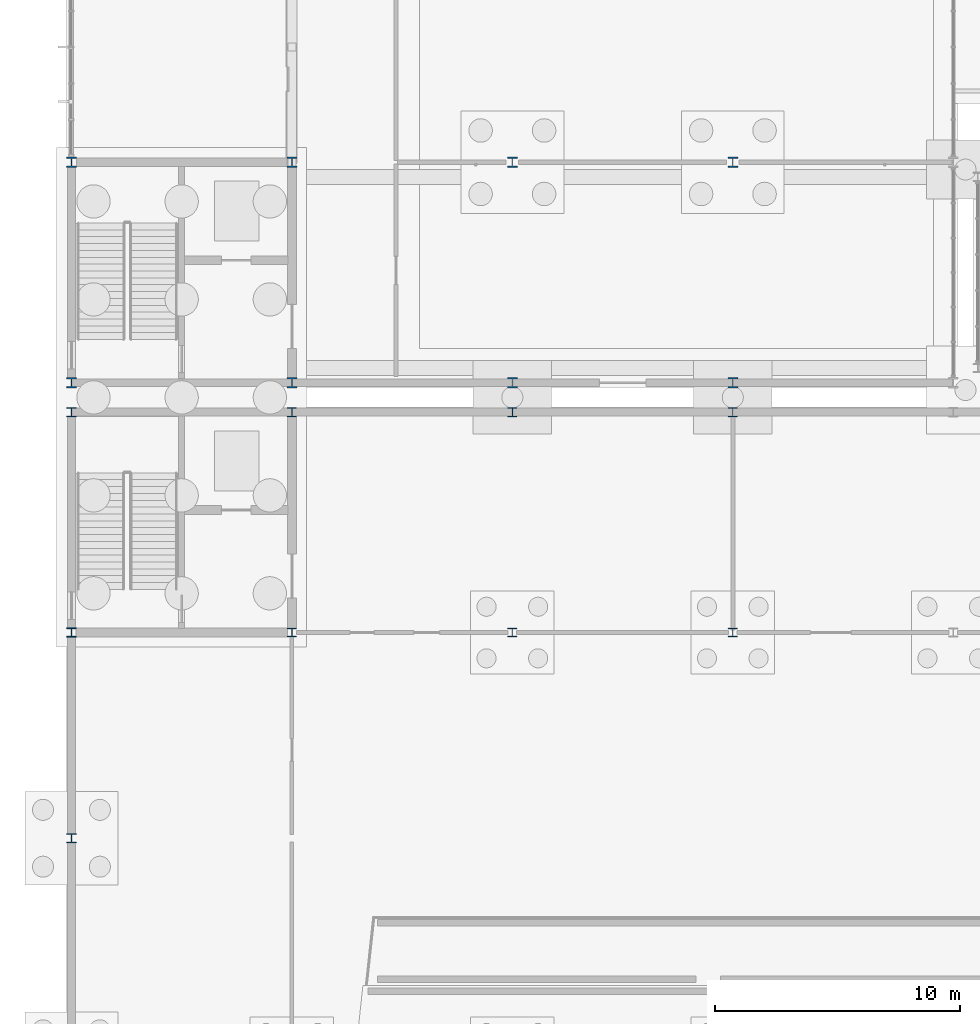
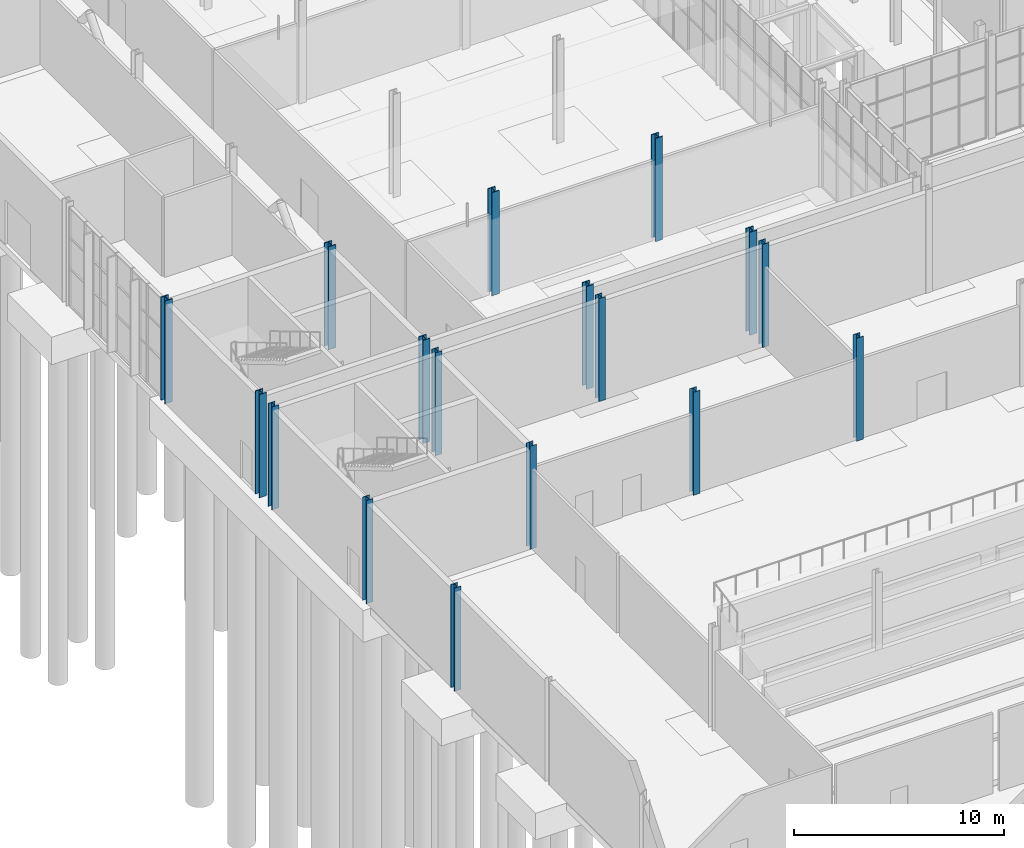
# One storey, part 11 of 131: 17 columns.
"""IFC4 building model written with IfcOpenShell, lengths in metres."""

from ifc_helpers import new_model, si_unit, direction, frame, origin, origin_2d, place, context, subcontext, project, spatial, i_section, extrude, material, material_profile, profile_set, type_object, element, save


model = new_model("IFC4")

# Units and contexts
model_context = context("Model", 3, precision=1e-05, world=origin(), true_north=direction((0.0, 1.0)))
body_context = subcontext(model_context, "Body", "Model", "MODEL_VIEW")
ifc_project = project(units=[si_unit("LENGTHUNIT", "METRE"), si_unit("AREAUNIT", "SQUARE_METRE"), si_unit("VOLUMEUNIT", "CUBIC_METRE"), si_unit("PLANEANGLEUNIT", "RADIAN"), si_unit("MASSUNIT", "GRAM", prefix="KILO")], contexts=[model_context])

# Site, building, storey
site_placement = place(None, origin())
site = spatial("IfcSite", under=ifc_project, at=site_placement, CompositionType="ELEMENT")
building_placement = place(site_placement, origin())
building = spatial("IfcBuilding", under=site, at=building_placement, Name="Cazmaro Siding Exhibition Halls", CompositionType="ELEMENT")
storey_placement = place(building_placement, origin())
storey = spatial("IfcBuildingStorey", under=building, at=storey_placement, Name="L00", CompositionType="ELEMENT", Elevation=0.0)

# Columns
ifc_material_1 = material(Name="Steel ASTM A992 Grade 50", Category="steel")
ifc_material_profile_1 = material_profile(ifc_material_1, i_section(OverallWidth=0.406005859375, OverallDepth=0.416015625, WebThickness=0.030029296875, FlangeThickness=0.048095703125, at=origin_2d()), Name="W14X257")
ifc_profile_set_1 = profile_set([ifc_material_profile_1], Name="Steel ASTM A992 Grade 50")
column_type_1 = type_object("IfcColumnType", Name="C-01", PredefinedType="COLUMN", material=ifc_profile_set_1)
for number, where, z_axis, x_axis, name in (
    (1, (0.0, 54.60009765625, 0.0), (0.0, 0.0, 1.0), (1.0, 0.0, 0.0), "Column C-01 COL-0881"),
    (2, (0.0, 63.60009765625, 0.0), (0.0, 0.0, 1.0), (1.0, 0.0, 0.0), "Column C-01 COL-0886"),
    (3, (9.0, 54.60009765625, 0.0), (0.0, 0.0, 1.0), (1.0, 0.0, 0.0), "Column C-01 COL-0921"),
    (4, (9.0, 63.60009765625, 0.0), (0.0, 0.0, 1.0), (1.0, 0.0, 0.0), "Column C-01 COL-0926"),
    (5, (18.0, 54.60009765625, 0.0), (0.0, 0.0, 1.0), (1.0, 0.0, 0.0), "Column C-01 COL-0961"),
    (6, (18.0, 63.60009765625, 0.0), (0.0, 0.0, 1.0), (1.0, 0.0, 0.0), "Column C-01 COL-0966"),
    (7, (27.0, 54.60009765625, 0.0), (0.0, 0.0, 1.0), (1.0, 0.0, 0.0), "Column C-01 COL-1001"),
    (8, (27.0, 63.60009765625, 0.0), (0.0, 0.0, 1.0), (1.0, 0.0, 0.0), "Column C-01 COL-1006"),
):
    element("IfcColumn", number, at=place(storey_placement, frame(where, z_axis=z_axis, x_axis=x_axis)), inside=storey, type_object=column_type_1, Name=name, PredefinedType="COLUMN", context=body_context, shape_type="SweptSolid", body=[
        extrude(i_section(OverallWidth=0.406005859375, OverallDepth=0.416015625, WebThickness=0.030029296875, FlangeThickness=0.048095703125, at=origin_2d()), origin(), (0.0, 0.0, 1.0), 6.0),
    ])
ifc_material_2 = material(Name="Steel ASTM A992 Grade 50", Category="steel")
ifc_material_profile_2 = material_profile(ifc_material_2, i_section(OverallWidth=0.373046875, OverallDepth=0.373046875, WebThickness=0.01611328125, FlangeThickness=0.02587890625, at=origin_2d()), Name="W14X132")
ifc_profile_set_2 = profile_set([ifc_material_profile_2], Name="Steel ASTM A992 Grade 50")
column_type_2 = type_object("IfcColumnType", Name="C-04", PredefinedType="COLUMN", material=ifc_profile_set_2)
for number, where, z_axis, x_axis, name in (
    (9, (27.0, 53.39990234375, 0.0), (0.0, 0.0, 1.0), (1.0, 0.0, 0.0), "Column C-04 COL-0835"),
    (10, (18.0, 53.39990234375, 0.0), (0.0, 0.0, 1.0), (1.0, 0.0, 0.0), "Column C-04 COL-0838"),
    (11, (9.0, 53.39990234375, 0.0), (0.0, 0.0, 1.0), (1.0, 0.0, 0.0), "Column C-04 COL-0841"),
    (12, (0.0, 53.39990234375, 0.0), (0.0, 0.0, 1.0), (1.0, 0.0, 0.0), "Column C-04 COL-0844"),
    (13, (0.0, 44.39990234375, 0.0), (0.0, 0.0, 1.0), (1.0, 0.0, 0.0), "Column C-04 COL-0847"),
    (14, (0.0, 36.0, 0.0), (0.0, 0.0, 1.0), (1.0, 0.0, 0.0), "Column C-04 COL-0850"),
):
    element("IfcColumn", number, at=place(storey_placement, frame(where, z_axis=z_axis, x_axis=x_axis)), inside=storey, type_object=column_type_2, Name=name, PredefinedType="COLUMN", context=body_context, shape_type="SweptSolid", body=[
        extrude(i_section(OverallWidth=0.373046875, OverallDepth=0.373046875, WebThickness=0.01611328125, FlangeThickness=0.02587890625, at=origin_2d()), origin(), (0.0, 0.0, 1.0), 6.0),
    ])
ifc_material_3 = material(Name="Steel ASTM A992 Grade 50", Category="steel")
ifc_material_profile_3 = material_profile(ifc_material_3, i_section(OverallWidth=0.367919921875, OverallDepth=0.35595703125, WebThickness=0.010986328125, FlangeThickness=0.01806640625, at=origin_2d()), Name="W14X90")
ifc_profile_set_3 = profile_set([ifc_material_profile_3], Name="Steel ASTM A992 Grade 50")
column_type_3 = type_object("IfcColumnType", Name="C-05", PredefinedType="COLUMN", material=ifc_profile_set_3)
for number, where, z_axis, x_axis, name in (
    (15, (9.0, 44.39990234375, 0.0), (0.0, 0.0, 1.0), (1.0, 0.0, 0.0), "Column C-05 COL-0861"),
    (16, (18.0, 44.39990234375, 0.0), (0.0, 0.0, 1.0), (1.0, 0.0, 0.0), "Column C-05 COL-0865"),
    (17, (27.0, 44.39990234375, 0.0), (0.0, 0.0, 1.0), (1.0, 0.0, 0.0), "Column C-05 COL-0869"),
):
    element("IfcColumn", number, at=place(storey_placement, frame(where, z_axis=z_axis, x_axis=x_axis)), inside=storey, type_object=column_type_3, Name=name, PredefinedType="COLUMN", context=body_context, shape_type="SweptSolid", body=[
        extrude(i_section(OverallWidth=0.367919921875, OverallDepth=0.35595703125, WebThickness=0.010986328125, FlangeThickness=0.01806640625, at=origin_2d()), origin(), (0.0, 0.0, 1.0), 6.0),
    ])

save(model, "model.ifc")
